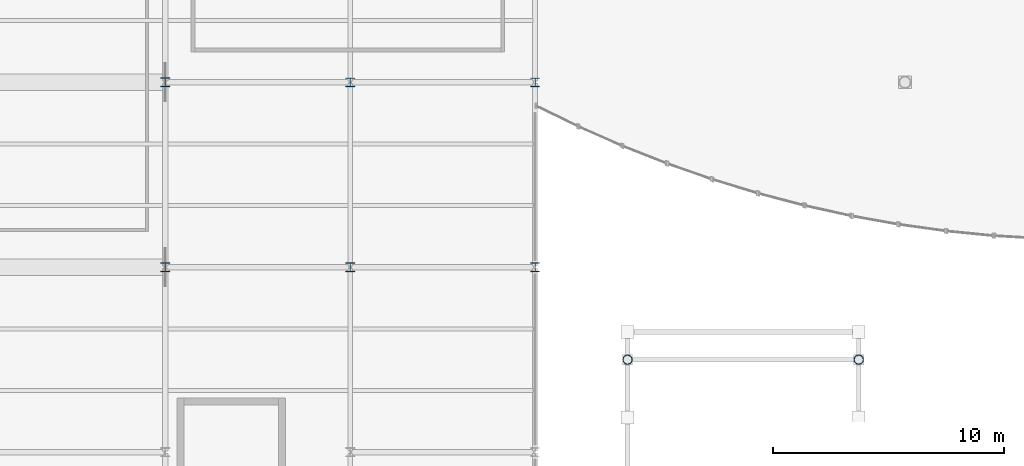
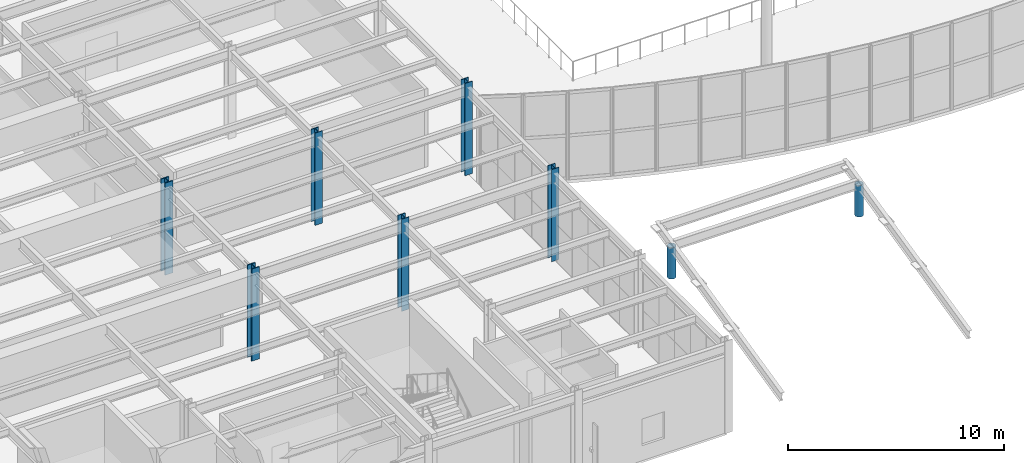
# One storey, part 2 of 77: 8 columns.
"""IFC4 building model written with IfcOpenShell, lengths in metres."""

from ifc_helpers import new_model, si_unit, direction, frame, origin, origin_2d, place, context, subcontext, project, spatial, hollow_circle, i_section, extrude, material, material_profile, profile_set, type_object, element, save


model = new_model("IFC4")

# Units and contexts
model_context = context("Model", 3, precision=1e-05, world=origin(), true_north=direction((0.0, 1.0)))
body_context = subcontext(model_context, "Body", "Model", "MODEL_VIEW")
ifc_project = project(units=[si_unit("LENGTHUNIT", "METRE"), si_unit("AREAUNIT", "SQUARE_METRE"), si_unit("VOLUMEUNIT", "CUBIC_METRE"), si_unit("PLANEANGLEUNIT", "RADIAN"), si_unit("MASSUNIT", "GRAM", prefix="KILO")], contexts=[model_context])

# Site, building, storey
site_placement = place(None, origin())
site = spatial("IfcSite", under=ifc_project, at=site_placement, CompositionType="ELEMENT")
building_placement = place(site_placement, origin())
building = spatial("IfcBuilding", under=site, at=building_placement, Name="Drelvath Fold Interchange", CompositionType="ELEMENT")
storey_placement = place(building_placement, frame((0.0, 0.0, 6.0)))
storey = spatial("IfcBuildingStorey", under=building, at=storey_placement, Name="L01", CompositionType="ELEMENT", Elevation=6.0)

# Columns
ifc_material_1 = material(Name="Steel ASTM A500 Grade C", Category="steel")
ifc_material_profile_1 = material_profile(ifc_material_1, hollow_circle(Radius=0.202880859375, WallThickness=0.014892578125, at=origin_2d()), Name="HSS16.000X0.625")
ifc_profile_set_1 = profile_set([ifc_material_profile_1], Name="Steel ASTM A500 Grade C")
column_type_1 = type_object("IfcColumnType", Name="COL-CHS406", PredefinedType="COLUMN", material=ifc_profile_set_1)
for number, where, z_axis, x_axis, name in (
    (1, (56.0, 15.0, 0.0), (0.0, 0.0, 1.0), (1.0, 0.0, 0.0), "L01 column (56,15)"),
    (2, (66.0, 15.0, 0.0), (0.0, 0.0, 1.0), (1.0, 0.0, 0.0), "L01 column (66,15)"),
):
    element("IfcColumn", number, at=place(storey_placement, frame(where, z_axis=z_axis, x_axis=x_axis)), inside=storey, type_object=column_type_1, Name=name, PredefinedType="COLUMN", context=body_context, shape_type="SweptSolid", body=[
        extrude(hollow_circle(Radius=0.202880859375, WallThickness=0.014892578125, at=origin_2d()), origin(), (0.0, 0.0, 1.0), 1.76708984375),
    ])
ifc_material_2 = material(Name="Steel ASTM A992 Grade 50", Category="steel")
ifc_material_profile_2 = material_profile(ifc_material_2, i_section(OverallWidth=0.39892578125, OverallDepth=0.39306640625, WebThickness=0.022705078125, FlangeThickness=0.03662109375, at=origin_2d()), Name="W14X193")
ifc_profile_set_2 = profile_set([ifc_material_profile_2], Name="Steel ASTM A992 Grade 50")
column_type_2 = type_object("IfcColumnType", Name="COL-W14X193", PredefinedType="COLUMN", material=ifc_profile_set_2)
for number, where, z_axis, x_axis, name in (
    (3, (44.0, 19.0, 0.0), (0.0, 0.0, 1.0), (1.0, 0.0, 0.0), "L01 column (44,19)"),
    (4, (44.0, 27.0, 0.0), (0.0, 0.0, 1.0), (1.0, 0.0, 0.0), "L01 column (44,27)"),
    (5, (52.0, 19.0, 0.0), (0.0, 0.0, 1.0), (1.0, 0.0, 0.0), "L01 column (52,19)"),
    (6, (52.0, 27.0, 0.0), (0.0, 0.0, 1.0), (1.0, 0.0, 0.0), "L01 column (52,27)"),
):
    element("IfcColumn", number, at=place(storey_placement, frame(where, z_axis=z_axis, x_axis=x_axis)), inside=storey, type_object=column_type_2, Name=name, PredefinedType="COLUMN", context=body_context, shape_type="SweptSolid", body=[
        extrude(i_section(OverallWidth=0.39892578125, OverallDepth=0.39306640625, WebThickness=0.022705078125, FlangeThickness=0.03662109375, at=origin_2d()), origin(), (0.0, 0.0, 1.0), 5.199951171875),
    ])
ifc_material_profile_3 = material_profile(ifc_material_2, i_section(OverallWidth=0.408935546875, OverallDepth=0.425048828125, WebThickness=0.03271484375, FlangeThickness=0.052490234375, at=origin_2d()), Name="W14X283")
ifc_profile_set_3 = profile_set([ifc_material_profile_3], Name="Steel ASTM A992 Grade 50")
column_type_3 = type_object("IfcColumnType", Name="COL-W14X283", PredefinedType="COLUMN", material=ifc_profile_set_3)
for number, where, z_axis, x_axis, name in (
    (7, (36.0, 19.0, 0.0), (0.0, 0.0, 1.0), (1.0, 0.0, 0.0), "L01 column (36,19)"),
    (8, (36.0, 27.0, 0.0), (0.0, 0.0, 1.0), (1.0, 0.0, 0.0), "L01 column (36,27)"),
):
    element("IfcColumn", number, at=place(storey_placement, frame(where, z_axis=z_axis, x_axis=x_axis)), inside=storey, type_object=column_type_3, Name=name, PredefinedType="COLUMN", context=body_context, shape_type="SweptSolid", body=[
        extrude(i_section(OverallWidth=0.408935546875, OverallDepth=0.425048828125, WebThickness=0.03271484375, FlangeThickness=0.052490234375, at=origin_2d()), origin(), (0.0, 0.0, 1.0), 5.199951171875),
    ])

save(model, "model.ifc")
